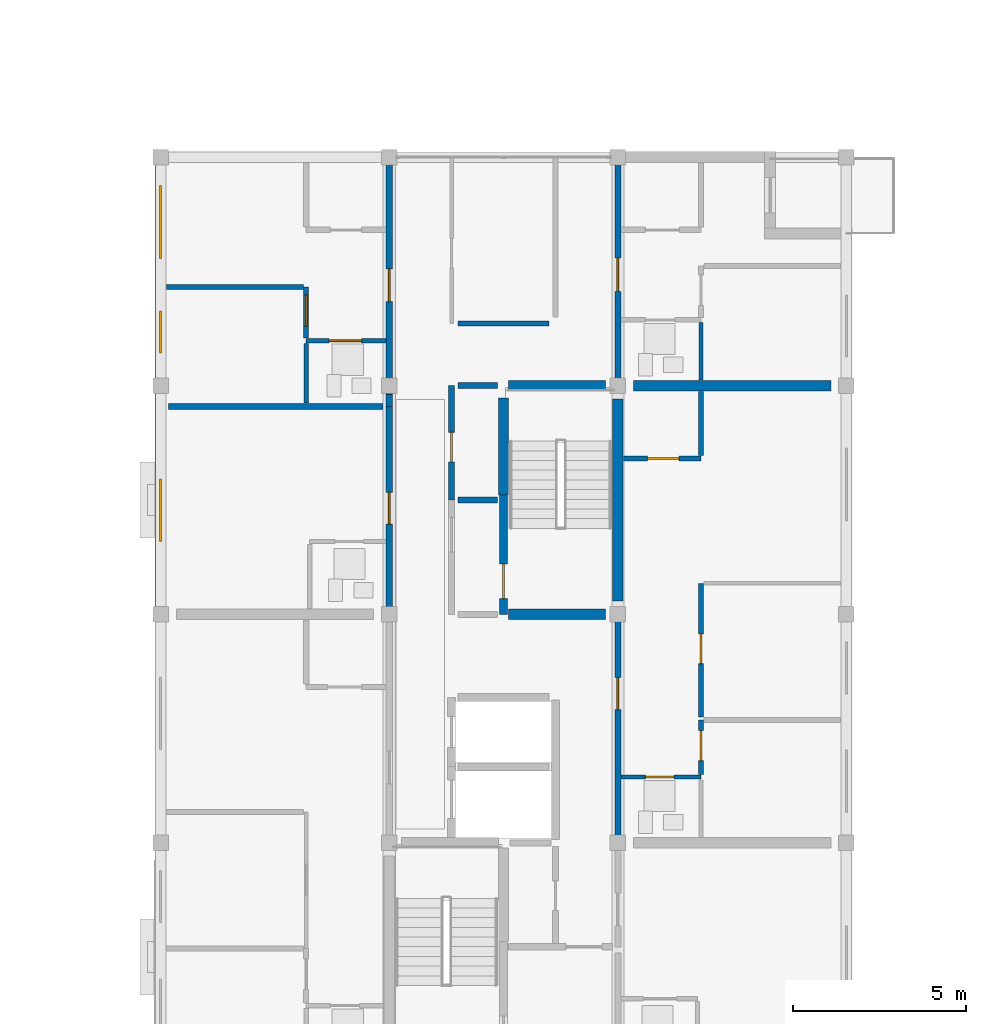
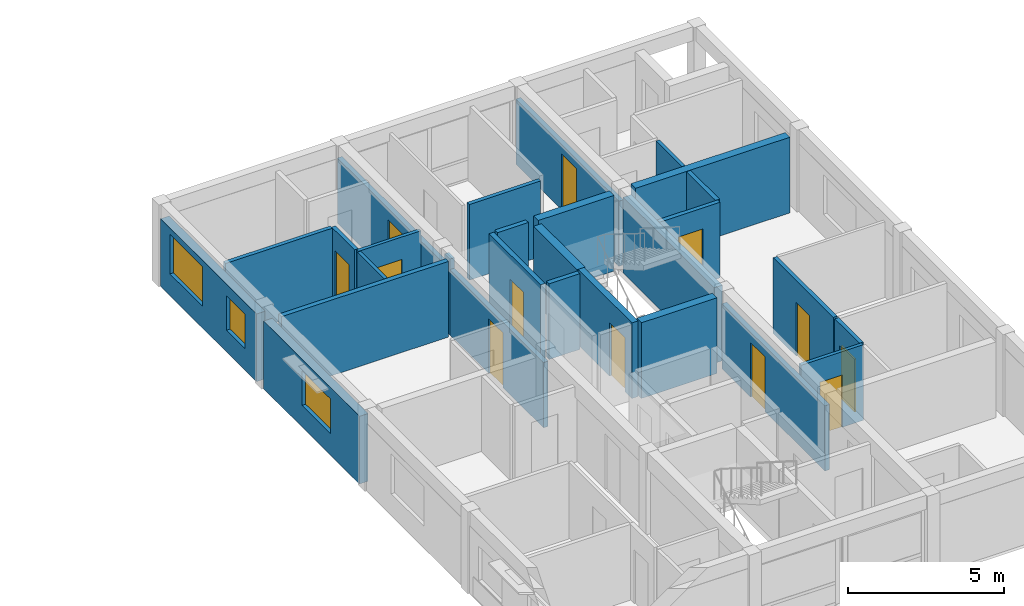
# One storey, part 32 of 53: 28 walls, 12 doors, 3 windows, 15 openings.
"""IFC4 building model written with IfcOpenShell, lengths in metres."""

import ifcopenshell
import ifcopenshell.guid

model = None  # the IFC model being written
_history = None  # IfcOwnerHistory: only IFC2X3 demands one
_inside = {}  # id of a spatial element -> (the spatial element, [elements in it])
_under = {}  # id of a project, library or spatial element -> (it, [spatial elements below it])
_declared = {}  # id of a project -> (the project, [libraries it declares])
_typed = {}  # id of a type object -> (the type object, [elements of that type])
_made_of = {}  # id of a material, layer set ... -> (it, [elements and type objects made of it])


def new_model(schema):
    """Start an empty IFC model of exactly this schema.

    Asked for "IFC4X3", IfcOpenShell would pick the latest addendum, in which some entities
    have other attributes; the version numbers below select the first issue.
    IFC2X3 requires an IfcOwnerHistory on every rooted entity: one is made here for all.
    """
    global model, _history
    if schema == "IFC4X3":
        model = ifcopenshell.file(schema_version=(4, 3, 0, 0))
    else:
        model = ifcopenshell.file(schema=schema)
    _inside.clear()
    _under.clear()
    _declared.clear()
    _typed.clear()
    _made_of.clear()
    _history = None
    if model.schema == "IFC2X3":
        org = make("IfcOrganization", Name="unknown")
        user = make(
            "IfcPersonAndOrganization",
            ThePerson=make("IfcPerson", FamilyName="unknown"),
            TheOrganization=org,
        )
        app = make(
            "IfcApplication",
            ApplicationDeveloper=org,
            Version="unknown",
            ApplicationFullName="unknown",
            ApplicationIdentifier="unknown",
        )
        _history = make(
            "IfcOwnerHistory",
            OwningUser=user,
            OwningApplication=app,
            ChangeAction="ADDED",
            CreationDate=0,
        )
    return model


def make(cls, **values):
    """One entity of the class cls with the attributes given. An attribute that is None is left unset."""
    return model.create_entity(
        cls, **{name: value for name, value in values.items() if value is not None}
    )


def rooted(cls, **values):
    """An entity with a GlobalId (a new one), such as an element, a storey or a relation."""
    return make(cls, GlobalId=ifcopenshell.guid.new(), OwnerHistory=_history, **values)


def si_unit(unit_type, name, prefix=None):
    """IfcSIUnit, for example si_unit("LENGTHUNIT", "METRE", prefix="MILLI")."""
    return make("IfcSIUnit", UnitType=unit_type, Prefix=prefix, Name=name)


def assignment(units):
    """IfcUnitAssignment: the units of a project."""
    return None if units is None else make("IfcUnitAssignment", Units=units)


def point(xyz):
    """IfcCartesianPoint."""
    return None if xyz is None else make("IfcCartesianPoint", Coordinates=xyz)


def direction(xyz):
    """IfcDirection."""
    return None if xyz is None else make("IfcDirection", DirectionRatios=xyz)


def frame(location, z_axis=None, x_axis=None):
    """IfcAxis2Placement3D, a coordinate frame: its origin and axes. An axis left out is left unset."""
    return make(
        "IfcAxis2Placement3D",
        Location=point(location),
        Axis=direction(z_axis),
        RefDirection=direction(x_axis),
    )


def frame_2d(location, x_axis=None):
    """IfcAxis2Placement2D, a coordinate frame in the plane: its origin and x axis."""
    return make(
        "IfcAxis2Placement2D", Location=point(location), RefDirection=direction(x_axis)
    )


def origin():
    """The frame at (0, 0, 0) with its axes left unset."""
    return frame((0.0, 0.0, 0.0))


def place(relative_to, where):
    """IfcLocalPlacement: puts the frame where relative to a parent placement (None: the world)."""
    return make(
        "IfcLocalPlacement", PlacementRelTo=relative_to, RelativePlacement=where
    )


def context(
    kind, dimensions, precision=None, world=None, true_north=None, identifier=None
):
    """IfcGeometricRepresentationContext, for example the 3D "Model" context."""
    return make(
        "IfcGeometricRepresentationContext",
        ContextIdentifier=identifier,
        ContextType=kind,
        CoordinateSpaceDimension=dimensions,
        Precision=precision,
        WorldCoordinateSystem=world,
        TrueNorth=true_north,
    )


def subcontext(parent, identifier, kind, view, scale=None):
    """IfcGeometricRepresentationSubContext, for example "Body" below "Model"."""
    return make(
        "IfcGeometricRepresentationSubContext",
        ContextIdentifier=identifier,
        ContextType=kind,
        ParentContext=parent,
        TargetScale=scale,
        TargetView=view,
    )


def project(units=None, contexts=None):
    """IfcProject with its units and contexts."""
    return rooted(
        "IfcProject",
        Name="project",
        RepresentationContexts=contexts,
        UnitsInContext=assignment(units),
    )


def spatial(cls, under=None, at=None, **own):
    """A site, building, storey or space (cls), placed at a placement, below another one or the project."""
    s = rooted(cls, ObjectPlacement=at, **own)
    if under is not None:
        _under.setdefault(under.id(), (under, []))[1].append(s)
    return s


def profile(cls, at=None, kind="AREA", **sizes):
    """A parametric profile (cls). Its sizes go by their IFC names, for example OverallWidth=200.0."""
    return make(cls, ProfileType=kind, Position=at, **sizes)


def rectangle(**sizes):
    """IfcRectangleProfileDef."""
    return profile("IfcRectangleProfileDef", **sizes)


def extrude(swept, where, along, depth):
    """IfcExtrudedAreaSolid: the profile swept, set in the frame where, extruded along a direction by depth."""
    return make(
        "IfcExtrudedAreaSolid",
        SweptArea=swept,
        Position=where,
        ExtrudedDirection=direction(along),
        Depth=depth,
    )


def shape(context_of_items, identifier, shape_type, items):
    """IfcShapeRepresentation: the items that make up one representation, for example the "Body"."""
    return make(
        "IfcShapeRepresentation",
        ContextOfItems=context_of_items,
        RepresentationIdentifier=identifier,
        RepresentationType=shape_type,
        Items=items,
    )


def material(Name=None, Category=None):
    """IfcMaterial."""
    return make("IfcMaterial", Name=Name, Category=Category)


def layer(
    of_material, thickness, ventilated=None, Name=None, Category=None, Priority=None
):
    """IfcMaterialLayer: one layer of a wall or slab, of a material (None: an air gap)."""
    return make(
        "IfcMaterialLayer",
        Material=of_material,
        LayerThickness=thickness,
        IsVentilated=ventilated,
        Name=Name,
        Category=Category,
        Priority=Priority,
    )


def layer_set(layers, Name=None):
    """IfcMaterialLayerSet."""
    return make("IfcMaterialLayerSet", MaterialLayers=layers, LayerSetName=Name)


def made_of(thing, what):
    """Note that an element or type object is made of a material, layer set ...; save() writes the relation."""
    if what is not None:
        _made_of.setdefault(what.id(), (what, []))[1].append(thing)
    return thing


def type_object(cls, material=None, **own):
    """A type object (cls), such as IfcWallType, which elements share."""
    return made_of(rooted(cls, **own), material)


def element(
    cls,
    number,
    at=None,
    inside=None,
    cuts=None,
    type_object=None,
    material=None,
    context=None,
    identifier="Body",
    shape_type=None,
    held_by="IfcProductDefinitionShape",
    body=None,
    shapes=None,
    **own,
):
    """One element of the class cls, such as IfcWall. Its Tag is "e" and its number.

    at: its placement. inside: the storey or other place that contains it. cuts: it is an
    opening in that element (IfcRelVoidsElement). A single representation is given by context,
    identifier, shape_type and body (its items); several are given by shapes. held_by: the class
    of the entity that holds the representations. save() writes the other relations.
    """
    e = rooted(cls, Tag="e%d" % number, ObjectPlacement=at, **own)
    if body is not None:
        shapes = [shape(context, identifier, shape_type, body)]
    if shapes is not None:
        e.Representation = make(held_by, Representations=shapes)
    if inside is not None:
        _inside.setdefault(inside.id(), (inside, []))[1].append(e)
    if cuts is not None:
        rooted(
            "IfcRelVoidsElement", RelatingBuildingElement=cuts, RelatedOpeningElement=e
        )
    if type_object is not None:
        _typed.setdefault(type_object.id(), (type_object, []))[1].append(e)
    return made_of(e, material)


def fill(opening, filler):
    """IfcRelFillsElement: the door or window that sits in an opening."""
    return rooted(
        "IfcRelFillsElement",
        RelatingOpeningElement=opening,
        RelatedBuildingElement=filler,
    )


def aggregate(whole, parts):
    """IfcRelAggregates: a whole, such as a stair, and the parts it consists of."""
    return rooted("IfcRelAggregates", RelatingObject=whole, RelatedObjects=parts)


def save(model, path):
    """Write the relations noted so far, then the file.

    IfcRelAggregates (storeys below a building ...), IfcRelContainedInSpatialStructure (elements
    in a storey), IfcRelDefinesByType, IfcRelAssociatesMaterial and IfcRelDeclares: one each for
    every whole, place, type object, material and project.
    """
    for whole, parts in _under.values():
        aggregate(whole, parts)
    for where, things in _inside.values():
        rooted(
            "IfcRelContainedInSpatialStructure",
            RelatedElements=things,
            RelatingStructure=where,
        )
    for kind, things in _typed.values():
        rooted("IfcRelDefinesByType", RelatedObjects=things, RelatingType=kind)
    for what, things in _made_of.values():
        rooted("IfcRelAssociatesMaterial", RelatedObjects=things, RelatingMaterial=what)
    for by, libraries in _declared.values():
        rooted("IfcRelDeclares", RelatingContext=by, RelatedDefinitions=libraries)
    model.write(path)


model = new_model("IFC4")

# Units and contexts
model_context = context("Model", 3, precision=1e-05, world=origin(), true_north=direction((0.0, 1.0)))
body_context = subcontext(model_context, "Body", "Model", "MODEL_VIEW")
ifc_project = project(units=[si_unit("LENGTHUNIT", "METRE"), si_unit("AREAUNIT", "SQUARE_METRE"), si_unit("VOLUMEUNIT", "CUBIC_METRE"), si_unit("PLANEANGLEUNIT", "RADIAN"), si_unit("MASSUNIT", "GRAM", prefix="KILO")], contexts=[model_context])

# Site, building, storey
site_placement = place(None, origin())
site = spatial("IfcSite", under=ifc_project, at=site_placement, CompositionType="ELEMENT")
building_placement = place(site_placement, origin())
building = spatial("IfcBuilding", under=site, at=building_placement, Name="Kernevlak Ridge Housing Community", CompositionType="ELEMENT")
storey_placement = place(building_placement, frame((0.0, 0.0, 18.0)))
storey = spatial("IfcBuildingStorey", under=building, at=storey_placement, Name="L05", CompositionType="ELEMENT", Elevation=18.0)

# Wall, opening, window
ifc_material_1 = material(Name="Concrete block masonry M10", Category="masonry")
ifc_layer_1 = layer(ifc_material_1, 0.320068359375, Name="Concrete block masonry M10")
ifc_layer_set_1 = layer_set([ifc_layer_1], Name="Concrete block masonry M10")
wall_type_1 = type_object("IfcWallType", Name="EW-02", PredefinedType="STANDARD", material=ifc_layer_set_1)
wall_1_placement = place(storey_placement, frame((126.0, 29.02490234375, 0.0), z_axis=(0.0, 0.0, 1.0), x_axis=(0.0, 1.0, 0.0)))
wall_1 = element("IfcWall", 1, at=wall_1_placement, inside=storey, type_object=wall_type_1, Name="Exterior wall EW-02 L05 602", PredefinedType="STANDARD", context=body_context, shape_type="SweptSolid", body=[
    extrude(rectangle(XDim=6.150146484375, YDim=0.320068359375, at=frame_2d((3.0751953125, 0.0))), origin(), (0.0, 0.0, 1.0), 2.64990234375),
])
opening_1_placement = place(wall_1_placement, frame((1.875, 0.0, 0.85009765625)))
opening_1 = element("IfcOpeningElement", 2, at=opening_1_placement, cuts=wall_1, Name="Opening WT-03", PredefinedType="OPENING", context=body_context, shape_type="SweptSolid", body=[
    extrude(rectangle(XDim=1.800048828125, YDim=1.35009765625, at=frame_2d((0.89990234375, 0.675048828125))), frame((0.0, 0.169921875, 0.0), z_axis=(0.0, -1.0, 0.0), x_axis=(1.0, 0.0, 0.0)), (0.0, 0.0, 1.0), 0.340087890625),
])
ifc_material_2 = material(Name="Aluminium EN AW-6060 anodised and laminated glass", Category="aluminium")
window_type_1 = type_object("IfcWindowType", Name="WT-03", PartitioningType="SINGLE_PANEL", PredefinedType="WINDOW", material=ifc_material_2)
window_1_placement = place(opening_1_placement, origin())
window_1 = element("IfcWindow", 3, at=window_1_placement, inside=storey, type_object=window_type_1, Name="Window WT-03 L05 490", OverallHeight=1.35009765625, OverallWidth=1.800048828125, PartitioningType="SINGLE_PANEL", PredefinedType="WINDOW", context=body_context, shape_type="SweptSolid", body=[
    extrude(rectangle(XDim=1.800048828125, YDim=1.35009765625, at=frame_2d((0.89990234375, 0.675048828125))), frame((0.0, 0.030029296875, 0.0), z_axis=(0.0, -1.0, 0.0), x_axis=(1.0, 0.0, 0.0)), (0.0, 0.0, 1.0), 0.06005859375),
])
fill(opening_1, window_1)

# Wall, openings, windows
wall_2_placement = place(storey_placement, frame((126.0, 35.625, 0.0), z_axis=(0.0, 0.0, 1.0), x_axis=(0.0, 1.0, 0.0)))
wall_2 = element("IfcWall", 4, at=wall_2_placement, inside=storey, type_object=wall_type_1, Name="Exterior wall EW-02 L05 603", PredefinedType="STANDARD", context=body_context, shape_type="SweptSolid", body=[
    extrude(rectangle(XDim=6.14990234375, YDim=0.320068359375, at=frame_2d((3.074951171875, 0.0))), origin(), (0.0, 0.0, 1.0), 2.64990234375),
])
opening_2_placement = place(wall_2_placement, frame((0.72509765625, 0.0, 0.85009765625)))
opening_2 = element("IfcOpeningElement", 5, at=opening_2_placement, cuts=wall_2, Name="Opening WT-01", PredefinedType="OPENING", context=body_context, shape_type="SweptSolid", body=[
    extrude(rectangle(XDim=1.199951171875, YDim=1.35009765625, at=frame_2d((0.60009765625, 0.675048828125))), frame((0.0, 0.169921875, 0.0), z_axis=(0.0, -1.0, 0.0), x_axis=(1.0, 0.0, 0.0)), (0.0, 0.0, 1.0), 0.340087890625),
])
opening_3_placement = place(wall_2_placement, frame((3.449951171875, 0.0, 0.85009765625)))
opening_3 = element("IfcOpeningElement", 6, at=opening_3_placement, cuts=wall_2, Name="Opening WT-05", PredefinedType="OPENING", context=body_context, shape_type="SweptSolid", body=[
    extrude(rectangle(XDim=2.10009765625, YDim=1.550048828125, at=frame_2d((1.050048828125, 0.77490234375))), frame((0.0, 0.169921875, 0.0), z_axis=(0.0, -1.0, 0.0), x_axis=(1.0, 0.0, 0.0)), (0.0, 0.0, 1.0), 0.340087890625),
])
window_type_2 = type_object("IfcWindowType", Name="WT-01", PartitioningType="SINGLE_PANEL", PredefinedType="WINDOW", material=ifc_material_2)
window_2_placement = place(opening_2_placement, origin())
window_2 = element("IfcWindow", 7, at=window_2_placement, inside=storey, type_object=window_type_2, Name="Window WT-01 L05 491", OverallHeight=1.35009765625, OverallWidth=1.199951171875, PartitioningType="SINGLE_PANEL", PredefinedType="WINDOW", context=body_context, shape_type="SweptSolid", body=[
    extrude(rectangle(XDim=1.199951171875, YDim=1.35009765625, at=frame_2d((0.60009765625, 0.675048828125))), frame((0.0, 0.030029296875, 0.0), z_axis=(0.0, -1.0, 0.0), x_axis=(1.0, 0.0, 0.0)), (0.0, 0.0, 1.0), 0.06005859375),
])
fill(opening_2, window_2)
window_type_3 = type_object("IfcWindowType", Name="WT-05", PartitioningType="SINGLE_PANEL", PredefinedType="WINDOW", material=ifc_material_2)
window_3_placement = place(opening_3_placement, origin())
window_3 = element("IfcWindow", 8, at=window_3_placement, inside=storey, type_object=window_type_3, Name="Window WT-05 L05 492", OverallHeight=1.550048828125, OverallWidth=2.10009765625, PartitioningType="SINGLE_PANEL", PredefinedType="WINDOW", context=body_context, shape_type="SweptSolid", body=[
    extrude(rectangle(XDim=2.10009765625, YDim=1.550048828125, at=frame_2d((1.050048828125, 0.77490234375))), frame((0.0, 0.030029296875, 0.0), z_axis=(0.0, -1.0, 0.0), x_axis=(1.0, 0.0, 0.0)), (0.0, 0.0, 1.0), 0.06005859375),
])
fill(opening_3, window_3)

# Wall, opening, door
ifc_material_3 = material(Name="Concrete C35/45", Category="concrete")
ifc_layer_2 = layer(ifc_material_3, 0.22509765625, Name="Concrete C35/45")
ifc_layer_set_2 = layer_set([ifc_layer_2], Name="Concrete C35/45")
wall_type_2 = type_object("IfcWallType", Name="PW-01", PredefinedType="STANDARD", material=ifc_layer_set_2)
wall_3_placement = place(storey_placement, frame((135.89990234375, 28.800048828125, 0.0), z_axis=(0.0, 0.0, 1.0), x_axis=(0.0, 1.0, 0.0)))
wall_3 = element("IfcWall", 9, at=wall_3_placement, inside=storey, type_object=wall_type_2, Name="Interior wall PW-01 WAL-INT-L05-2440", PredefinedType="STANDARD", context=body_context, shape_type="SweptSolid", body=[
    extrude(rectangle(XDim=3.449951171875, YDim=0.22509765625, at=frame_2d((1.72509765625, 0.0))), origin(), (0.0, 0.0, 1.0), 2.9599609375),
])
opening_4_placement = place(wall_3_placement, frame((0.449951171875, 0.0, 0.0)))
opening_4 = element("IfcOpeningElement", 10, at=opening_4_placement, cuts=wall_3, Name="Opening E236", PredefinedType="OPENING", context=body_context, shape_type="SweptSolid", body=[
    extrude(rectangle(XDim=1.0, YDim=2.10009765625, at=frame_2d((0.5, 1.050048828125))), frame((0.0, 0.12255859375, 0.0), z_axis=(0.0, -1.0, 0.0), x_axis=(1.0, 0.0, 0.0)), (0.0, 0.0, 1.0), 0.2451171875),
])
ifc_material_4 = material(Name="Fire-rated sheet steel leaf", Category="steel")
door_type_1 = type_object("IfcDoorType", Name="DT-05", OperationType="NOTDEFINED", PredefinedType="DOOR", material=ifc_material_4)
door_1_placement = place(opening_4_placement, origin())
door_1 = element("IfcDoor", 11, at=door_1_placement, inside=storey, type_object=door_type_1, Name="Block C Stair 2 fire door E236", OperationType="SINGLE_SWING_LEFT", OverallHeight=2.10009765625, OverallWidth=1.0, PredefinedType="DOOR", context=body_context, shape_type="SweptSolid", body=[
    extrude(rectangle(XDim=1.0, YDim=2.10009765625, at=frame_2d((0.5, 1.050048828125))), frame((0.0, 0.02490234375, 0.0), z_axis=(0.0, -1.0, 0.0), x_axis=(1.0, 0.0, 0.0)), (0.0, 0.0, 1.0), 0.050048828125),
])
fill(opening_4, door_1)

ifc_layer_3 = layer(ifc_material_1, 0.175048828125, Name="Concrete block masonry M10")
ifc_layer_set_3 = layer_set([ifc_layer_3], Name="Concrete block masonry M10")
wall_type_3 = type_object("IfcWallType", Name="PW-02", PredefinedType="PARTITIONING", material=ifc_layer_set_3)
wall_4_placement = place(storey_placement, frame((134.39990234375, 32.10009765625, 0.0), z_axis=(0.0, 0.0, 1.0), x_axis=(0.0, 1.0, 0.0)))
wall_4 = element("IfcWall", 12, at=wall_4_placement, inside=storey, type_object=wall_type_3, Name="Interior wall PW-02 WAL-INT-L05-2442", PredefinedType="PARTITIONING", context=body_context, shape_type="SweptSolid", body=[
    extrude(rectangle(XDim=3.2998046875, YDim=0.175048828125, at=frame_2d((1.64990234375, 0.0))), origin(), (0.0, 0.0, 1.0), 2.9599609375),
])
opening_5_placement = place(wall_4_placement, frame((1.10009765625, 0.0, 0.0)))
opening_5 = element("IfcOpeningElement", 13, at=opening_5_placement, cuts=wall_4, Name="Opening E238", PredefinedType="OPENING", context=body_context, shape_type="SweptSolid", body=[
    extrude(rectangle(XDim=0.85009765625, YDim=2.0, at=frame_2d((0.425048828125, 1.0))), frame((0.0, 0.097412109375, 0.0), z_axis=(0.0, -1.0, 0.0), x_axis=(1.0, 0.0, 0.0)), (0.0, 0.0, 1.0), 0.195068359375),
])
door_type_2 = type_object("IfcDoorType", Name="DT-07", OperationType="NOTDEFINED", PredefinedType="DOOR", material=ifc_material_4)
door_2_placement = place(opening_5_placement, origin())
door_2 = element("IfcDoor", 14, at=door_2_placement, inside=storey, type_object=door_type_2, Name="Block C Cleaner store door E238", OperationType="SINGLE_SWING_LEFT", OverallHeight=2.0, OverallWidth=0.85009765625, PredefinedType="DOOR", context=body_context, shape_type="SweptSolid", body=[
    extrude(rectangle(XDim=0.85009765625, YDim=2.0, at=frame_2d((0.425048828125, 1.0))), frame((0.0, 0.02490234375, 0.0), z_axis=(0.0, -1.0, 0.0), x_axis=(1.0, 0.0, 0.0)), (0.0, 0.0, 1.0), 0.050048828125),
])
fill(opening_5, door_2)

# Walls
for number, where, z_axis, x_axis, name in (
    (15, (134.580078125, 32.10009765625, 0.0), (0.0, 0.0, 1.0), (1.0, 0.0, 0.0), "Interior wall PW-02 WAL-INT-L05-2444"),
    (16, (134.580078125, 35.39990234375, 0.0), (0.0, 0.0, 1.0), (1.0, 0.0, 0.0), "Interior wall PW-02 WAL-INT-L05-2445"),
):
    element("IfcWall", number, at=place(storey_placement, frame(where, z_axis=z_axis, x_axis=x_axis)), inside=storey, type_object=wall_type_3, Name=name, PredefinedType="PARTITIONING", context=body_context, shape_type="SweptSolid", body=[
        extrude(rectangle(XDim=1.139892578125, YDim=0.175048828125, at=frame_2d((0.56982421875, 0.0))), origin(), (0.0, 0.0, 1.0), 2.9599609375),
    ])

# Wall, opening, door
wall_5_placement = place(storey_placement, frame((132.60009765625, 28.800048828125, 0.0), z_axis=(0.0, 0.0, 1.0), x_axis=(0.0, 1.0, 0.0)))
wall_5 = element("IfcWall", 17, at=wall_5_placement, inside=storey, type_object=wall_type_3, Name="Interior wall PW-02 WAL-INT-L05-2458", PredefinedType="PARTITIONING", context=body_context, shape_type="SweptSolid", body=[
    extrude(rectangle(XDim=6.0, YDim=0.175048828125, at=frame_2d((3.0, 0.0))), origin(), (0.0, 0.0, 1.0), 2.550048828125),
])
opening_6_placement = place(wall_5_placement, frame((2.60009765625, 0.0, 0.0)))
opening_6 = element("IfcOpeningElement", 18, at=opening_6_placement, cuts=wall_5, Name="Opening E245", PredefinedType="OPENING", context=body_context, shape_type="SweptSolid", body=[
    extrude(rectangle(XDim=0.919921875, YDim=2.139892578125, at=frame_2d((0.4599609375, 1.06982421875))), frame((0.0, 0.097412109375, 0.0), z_axis=(0.0, -1.0, 0.0), x_axis=(1.0, 0.0, 0.0)), (0.0, 0.0, 1.0), 0.195068359375),
])
ifc_material_5 = material(Name="Hardwood timber solid-core fire leaf", Category="wood")
door_type_3 = type_object("IfcDoorType", Name="DT-20", OperationType="NOTDEFINED", PredefinedType="DOOR", material=ifc_material_5)
door_3_placement = place(opening_6_placement, origin())
door_3 = element("IfcDoor", 19, at=door_3_placement, inside=storey, type_object=door_type_3, Name="Flat C0512 entrance fire door E245", OperationType="SINGLE_SWING_RIGHT", OverallHeight=2.139892578125, OverallWidth=0.919921875, PredefinedType="DOOR", context=body_context, shape_type="SweptSolid", body=[
    extrude(rectangle(XDim=0.919921875, YDim=2.139892578125, at=frame_2d((0.4599609375, 1.06982421875))), frame((0.0, 0.02490234375, 0.0), z_axis=(0.0, -1.0, 0.0), x_axis=(1.0, 0.0, 0.0)), (0.0, 0.0, 1.0), 0.050048828125),
])
fill(opening_6, door_3)

# Walls
wall_6_placement = place(storey_placement, frame((132.419921875, 34.800048828125, 0.0), z_axis=(0.0, 0.0, 1.0), x_axis=(-1.0, 0.0, 0.0)))
element("IfcWall", 20, at=wall_6_placement, inside=storey, type_object=wall_type_3, Name="Interior wall PW-02 WAL-INT-L05-2461", PredefinedType="PARTITIONING", context=body_context, shape_type="SweptSolid", body=[
    extrude(rectangle(XDim=6.18994140625, YDim=0.175048828125, at=frame_2d((3.094970703125, 0.0))), origin(), (0.0, 0.0, 1.0), 2.9599609375),
])
wall_7_placement = place(storey_placement, frame((132.60009765625, 34.800048828125, 0.0), z_axis=(0.0, 0.0, 1.0), x_axis=(0.0, 1.0, 0.0)))
element("IfcWall", 21, at=wall_7_placement, inside=storey, type_object=wall_type_3, Name="Interior wall PW-02 WAL-INT-L05-2462", PredefinedType="PARTITIONING", context=body_context, shape_type="SweptSolid", body=[
    extrude(rectangle(XDim=0.344970703125, YDim=0.175048828125, at=frame_2d((0.17236328125, 0.0))), origin(), (0.0, 0.0, 1.0), 2.9599609375),
])

# Wall, opening, door
wall_8_placement = place(storey_placement, frame((132.60009765625, 35.14501953125, 0.0), z_axis=(0.0, 0.0, 1.0), x_axis=(0.0, 1.0, 0.0)))
wall_8 = element("IfcWall", 22, at=wall_8_placement, inside=storey, type_object=wall_type_3, Name="Interior wall PW-02 WAL-INT-L05-2462 part 2", PredefinedType="PARTITIONING", context=body_context, shape_type="SweptSolid", body=[
    extrude(rectangle(XDim=6.85498046875, YDim=0.175048828125, at=frame_2d((3.427490234375, 0.0))), origin(), (0.0, 0.0, 1.0), 2.550048828125),
])
opening_7_placement = place(wall_8_placement, frame((2.679931640625, 0.0, 0.0)))
opening_7 = element("IfcOpeningElement", 23, at=opening_7_placement, cuts=wall_8, Name="Opening E247", PredefinedType="OPENING", context=body_context, shape_type="SweptSolid", body=[
    extrude(rectangle(XDim=0.949951171875, YDim=2.10009765625, at=frame_2d((0.47509765625, 1.050048828125))), frame((0.0, 0.097412109375, 0.0), z_axis=(0.0, -1.0, 0.0), x_axis=(1.0, 0.0, 0.0)), (0.0, 0.0, 1.0), 0.195068359375),
])
door_type_4 = type_object("IfcDoorType", Name="DT-01", OperationType="NOTDEFINED", PredefinedType="DOOR", material=ifc_material_5)
door_4_placement = place(opening_7_placement, origin())
door_4 = element("IfcDoor", 24, at=door_4_placement, inside=storey, type_object=door_type_4, Name="Flat C0513 entrance fire door E247", OperationType="SINGLE_SWING_RIGHT", OverallHeight=2.10009765625, OverallWidth=0.949951171875, PredefinedType="DOOR", context=body_context, shape_type="SweptSolid", body=[
    extrude(rectangle(XDim=0.949951171875, YDim=2.10009765625, at=frame_2d((0.47509765625, 1.050048828125))), frame((0.0, 0.02490234375, 0.0), z_axis=(0.0, -1.0, 0.0), x_axis=(1.0, 0.0, 0.0)), (0.0, 0.0, 1.0), 0.050048828125),
])
fill(opening_7, door_4)

wall_9_placement = place(storey_placement, frame((139.199951171875, 22.199951171875, 0.0), z_axis=(0.0, 0.0, 1.0), x_axis=(0.0, 1.0, 0.0)))
wall_9 = element("IfcWall", 25, at=wall_9_placement, inside=storey, type_object=wall_type_3, Name="Interior wall PW-02 WAL-INT-L05-2473", PredefinedType="PARTITIONING", context=body_context, shape_type="SweptSolid", body=[
    extrude(rectangle(XDim=6.60009765625, YDim=0.175048828125, at=frame_2d((3.300048828125, 0.0))), origin(), (0.0, 0.0, 1.0), 2.550048828125),
])
opening_8_placement = place(wall_9_placement, frame((3.85009765625, 0.0, 0.0)))
opening_8 = element("IfcOpeningElement", 26, at=opening_8_placement, cuts=wall_9, Name="Opening E253", PredefinedType="OPENING", context=body_context, shape_type="SweptSolid", body=[
    extrude(rectangle(XDim=0.919921875, YDim=2.139892578125, at=frame_2d((0.4599609375, 1.06982421875))), frame((0.0, 0.097412109375, 0.0), z_axis=(0.0, -1.0, 0.0), x_axis=(1.0, 0.0, 0.0)), (0.0, 0.0, 1.0), 0.195068359375),
])
door_5_placement = place(opening_8_placement, origin())
door_5 = element("IfcDoor", 27, at=door_5_placement, inside=storey, type_object=door_type_3, Name="Flat C0522 entrance fire door E253", OperationType="SINGLE_SWING_RIGHT", OverallHeight=2.139892578125, OverallWidth=0.919921875, PredefinedType="DOOR", context=body_context, shape_type="SweptSolid", body=[
    extrude(rectangle(XDim=0.919921875, YDim=2.139892578125, at=frame_2d((0.4599609375, 1.06982421875))), frame((0.0, 0.02490234375, 0.0), z_axis=(0.0, -1.0, 0.0), x_axis=(1.0, 0.0, 0.0)), (0.0, 0.0, 1.0), 0.050048828125),
])
fill(opening_8, door_5)

wall_10_placement = place(storey_placement, frame((139.199951171875, 35.39990234375, 0.0), z_axis=(0.0, 0.0, 1.0), x_axis=(0.0, 1.0, 0.0)))
wall_10 = element("IfcWall", 28, at=wall_10_placement, inside=storey, type_object=wall_type_3, Name="Interior wall PW-02 WAL-INT-L05-2482", PredefinedType="PARTITIONING", context=body_context, shape_type="SweptSolid", body=[
    extrude(rectangle(XDim=6.60009765625, YDim=0.175048828125, at=frame_2d((3.300048828125, 0.0))), origin(), (0.0, 0.0, 1.0), 2.550048828125),
])
opening_9_placement = place(wall_10_placement, frame((2.72509765625, 0.0, 0.0)))
opening_9 = element("IfcOpeningElement", 29, at=opening_9_placement, cuts=wall_10, Name="Opening E258", PredefinedType="OPENING", context=body_context, shape_type="SweptSolid", body=[
    extrude(rectangle(XDim=0.9599609375, YDim=2.179931640625, at=frame_2d((0.47998046875, 1.08984375))), frame((0.0, 0.097412109375, 0.0), z_axis=(0.0, -1.0, 0.0), x_axis=(1.0, 0.0, 0.0)), (0.0, 0.0, 1.0), 0.195068359375),
])
door_type_5 = type_object("IfcDoorType", Name="DT-29", OperationType="NOTDEFINED", PredefinedType="DOOR", material=ifc_material_5)
door_6_placement = place(opening_9_placement, origin())
door_6 = element("IfcDoor", 30, at=door_6_placement, inside=storey, type_object=door_type_5, Name="Flat C0523 entrance fire door E258", OperationType="SINGLE_SWING_LEFT", OverallHeight=2.179931640625, OverallWidth=0.9599609375, PredefinedType="DOOR", context=body_context, shape_type="SweptSolid", body=[
    extrude(rectangle(XDim=0.9599609375, YDim=2.179931640625, at=frame_2d((0.47998046875, 1.08984375))), frame((0.0, 0.02490234375, 0.0), z_axis=(0.0, -1.0, 0.0), x_axis=(1.0, 0.0, 0.0)), (0.0, 0.0, 1.0), 0.050048828125),
])
fill(opening_9, door_6)

# Wall
ifc_layer_4 = layer(ifc_material_1, 0.14501953125, Name="Concrete block masonry M10")
ifc_layer_set_4 = layer_set([ifc_layer_4], Name="Concrete block masonry M10")
wall_type_4 = type_object("IfcWallType", Name="PW-03", PredefinedType="PARTITIONING", material=ifc_layer_set_4)
wall_11_placement = place(storey_placement, frame((134.580078125, 37.199951171875, 0.0), z_axis=(0.0, 0.0, 1.0), x_axis=(1.0, 0.0, 0.0)))
element("IfcWall", 31, at=wall_11_placement, inside=storey, type_object=wall_type_4, Name="Interior wall PW-03 WAL-INT-L05-2448", PredefinedType="PARTITIONING", context=body_context, shape_type="SweptSolid", body=[
    extrude(rectangle(XDim=2.639892578125, YDim=0.14501953125, at=frame_2d((1.31982421875, 0.0))), origin(), (0.0, 0.0, 1.0), 2.9599609375),
])

# Wall, opening, door
wall_12_placement = place(storey_placement, frame((130.199951171875, 36.7724609375, 0.0), z_axis=(0.0, 0.0, 1.0), x_axis=(0.0, 1.0, 0.0)))
wall_12 = element("IfcWall", 32, at=wall_12_placement, inside=storey, type_object=wall_type_4, Name="Interior wall PW-03 WAL-INT-L05-2467", PredefinedType="PARTITIONING", context=body_context, shape_type="SweptSolid", body=[
    extrude(rectangle(XDim=1.4775390625, YDim=0.14501953125, at=frame_2d((0.73876953125, 0.0))), origin(), (0.0, 0.0, 1.0), 2.9599609375),
])
opening_10_placement = place(wall_12_placement, frame((0.35009765625, 0.0, 0.0)))
opening_10 = element("IfcOpeningElement", 33, at=opening_10_placement, cuts=wall_12, Name="Opening E250", PredefinedType="OPENING", context=body_context, shape_type="SweptSolid", body=[
    extrude(rectangle(XDim=0.89990234375, YDim=2.159912109375, at=frame_2d((0.449951171875, 1.080078125))), frame((0.0, 0.08251953125, 0.0), z_axis=(0.0, -1.0, 0.0), x_axis=(1.0, 0.0, 0.0)), (0.0, 0.0, 1.0), 0.1650390625),
])
ifc_material_6 = material(Name="Hardwood timber leaf", Category="wood")
door_type_6 = type_object("IfcDoorType", Name="DT-22", OperationType="NOTDEFINED", PredefinedType="DOOR", material=ifc_material_6)
door_7_placement = place(opening_10_placement, origin())
door_7 = element("IfcDoor", 34, at=door_7_placement, inside=storey, type_object=door_type_6, Name="Flat C0513 bedroom door E250", OperationType="SINGLE_SWING_LEFT", OverallHeight=2.159912109375, OverallWidth=0.89990234375, PredefinedType="DOOR", context=body_context, shape_type="SweptSolid", body=[
    extrude(rectangle(XDim=0.89990234375, YDim=2.159912109375, at=frame_2d((0.449951171875, 1.080078125))), frame((0.0, 0.02490234375, 0.0), z_axis=(0.0, -1.0, 0.0), x_axis=(1.0, 0.0, 0.0)), (0.0, 0.0, 1.0), 0.050048828125),
])
fill(opening_10, door_7)

# Wall
wall_13_placement = place(storey_placement, frame((130.117431640625, 38.25, 0.0), z_axis=(0.0, 0.0, 1.0), x_axis=(-1.0, 0.0, 0.0)))
element("IfcWall", 35, at=wall_13_placement, inside=storey, type_object=wall_type_4, Name="Interior wall PW-03 WAL-INT-L05-2468", PredefinedType="PARTITIONING", context=body_context, shape_type="SweptSolid", body=[
    extrude(rectangle(XDim=3.947509765625, YDim=0.14501953125, at=frame_2d((1.9736328125, 0.0))), origin(), (0.0, 0.0, 1.0), 2.9599609375),
])

# Wall, opening, door
wall_14_placement = place(storey_placement, frame((141.60009765625, 24.172607421875, 0.0), z_axis=(0.0, 0.0, 1.0), x_axis=(0.0, 1.0, 0.0)))
wall_14 = element("IfcWall", 36, at=wall_14_placement, inside=storey, type_object=wall_type_4, Name="Interior wall PW-03 WAL-INT-L05-2478", PredefinedType="PARTITIONING", context=body_context, shape_type="SweptSolid", body=[
    extrude(rectangle(XDim=1.577392578125, YDim=0.14501953125, at=frame_2d((0.78857421875, 0.0))), origin(), (0.0, 0.0, 1.0), 2.9599609375),
])
opening_11_placement = place(wall_14_placement, frame((0.39990234375, 0.0, 0.0)))
opening_11 = element("IfcOpeningElement", 37, at=opening_11_placement, cuts=wall_14, Name="Opening E256", PredefinedType="OPENING", context=body_context, shape_type="SweptSolid", body=[
    extrude(rectangle(XDim=0.8701171875, YDim=2.080078125, at=frame_2d((0.43505859375, 1.0400390625))), frame((0.0, 0.08251953125, 0.0), z_axis=(0.0, -1.0, 0.0), x_axis=(1.0, 0.0, 0.0)), (0.0, 0.0, 1.0), 0.1650390625),
])
door_type_7 = type_object("IfcDoorType", Name="DT-32", OperationType="NOTDEFINED", PredefinedType="DOOR", material=ifc_material_6)
door_8_placement = place(opening_11_placement, origin())
door_8 = element("IfcDoor", 38, at=door_8_placement, inside=storey, type_object=door_type_7, Name="Flat C0522 bedroom door E256", OperationType="SINGLE_SWING_LEFT", OverallHeight=2.080078125, OverallWidth=0.8701171875, PredefinedType="DOOR", context=body_context, shape_type="SweptSolid", body=[
    extrude(rectangle(XDim=0.8701171875, YDim=2.080078125, at=frame_2d((0.43505859375, 1.0400390625))), frame((0.0, 0.02490234375, 0.0), z_axis=(0.0, -1.0, 0.0), x_axis=(1.0, 0.0, 0.0)), (0.0, 0.0, 1.0), 0.050048828125),
])
fill(opening_11, door_8)

wall_15_placement = place(storey_placement, frame((141.60009765625, 25.83251953125, 0.0), z_axis=(0.0, 0.0, 1.0), x_axis=(0.0, 1.0, 0.0)))
wall_15 = element("IfcWall", 39, at=wall_15_placement, inside=storey, type_object=wall_type_4, Name="Interior wall PW-03 WAL-INT-L05-2480", PredefinedType="PARTITIONING", context=body_context, shape_type="SweptSolid", body=[
    extrude(rectangle(XDim=3.859375, YDim=0.14501953125, at=frame_2d((1.9296875, 0.0))), origin(), (0.0, 0.0, 1.0), 2.9599609375),
])
opening_12_placement = place(wall_15_placement, frame((1.5458984375, 0.0, 0.0)))
opening_12 = element("IfcOpeningElement", 40, at=opening_12_placement, cuts=wall_15, Name="Opening E257", PredefinedType="OPENING", context=body_context, shape_type="SweptSolid", body=[
    extrude(rectangle(XDim=0.85009765625, YDim=2.10009765625, at=frame_2d((0.425048828125, 1.050048828125))), frame((0.0, 0.08251953125, 0.0), z_axis=(0.0, -1.0, 0.0), x_axis=(1.0, 0.0, 0.0)), (0.0, 0.0, 1.0), 0.1650390625),
])
door_type_8 = type_object("IfcDoorType", Name="DT-03", OperationType="NOTDEFINED", PredefinedType="DOOR", material=ifc_material_6)
door_9_placement = place(opening_12_placement, origin())
door_9 = element("IfcDoor", 41, at=door_9_placement, inside=storey, type_object=door_type_8, Name="Flat C0522 bedroom door E257", OperationType="SINGLE_SWING_RIGHT", OverallHeight=2.10009765625, OverallWidth=0.85009765625, PredefinedType="DOOR", context=body_context, shape_type="SweptSolid", body=[
    extrude(rectangle(XDim=0.85009765625, YDim=2.10009765625, at=frame_2d((0.425048828125, 1.050048828125))), frame((0.0, 0.02490234375, 0.0), z_axis=(0.0, -1.0, 0.0), x_axis=(1.0, 0.0, 0.0)), (0.0, 0.0, 1.0), 0.050048828125),
])
fill(opening_12, door_9)

ifc_material_7 = material(Name="Gypsum plasterboard EN 520", Category="gypsum")
ifc_layer_5 = layer(ifc_material_7, 0.125, Name="Gypsum plasterboard EN 520")
ifc_layer_set_5 = layer_set([ifc_layer_5], Name="Gypsum plasterboard EN 520")
wall_type_5 = type_object("IfcWallType", Name="PW-04", PredefinedType="PARTITIONING", material=ifc_layer_set_5)
wall_16_placement = place(storey_placement, frame((132.50244140625, 36.699951171875, 0.0), z_axis=(0.0, 0.0, 1.0), x_axis=(-1.0, 0.0, 0.0)))
wall_16 = element("IfcWall", 42, at=wall_16_placement, inside=storey, type_object=wall_type_5, Name="Interior wall PW-04 WAL-INT-L05-2463", PredefinedType="PARTITIONING", context=body_context, shape_type="SweptSolid", body=[
    extrude(rectangle(XDim=2.302490234375, YDim=0.125, at=frame_2d((1.1513671875, 0.0))), origin(), (0.0, 0.0, 1.0), 2.9599609375),
])
opening_13_placement = place(wall_16_placement, frame((0.699951171875, 0.0, 0.0)))
opening_13 = element("IfcOpeningElement", 43, at=opening_13_placement, cuts=wall_16, Name="Opening E248", PredefinedType="OPENING", context=body_context, shape_type="SweptSolid", body=[
    extrude(rectangle(XDim=0.93994140625, YDim=2.080078125, at=frame_2d((0.469970703125, 1.0400390625))), frame((0.0, 0.072509765625, 0.0), z_axis=(0.0, -1.0, 0.0), x_axis=(1.0, 0.0, 0.0)), (0.0, 0.0, 1.0), 0.14501953125),
])
ifc_material_8 = material(Name="Hardwood timber moisture-resistant leaf", Category="wood")
door_type_9 = type_object("IfcDoorType", Name="DT-23", OperationType="NOTDEFINED", PredefinedType="DOOR", material=ifc_material_8)
door_10_placement = place(opening_13_placement, origin())
door_10 = element("IfcDoor", 44, at=door_10_placement, inside=storey, type_object=door_type_9, Name="Flat C0513 bathroom door E248", OperationType="SINGLE_SWING_LEFT", OverallHeight=2.080078125, OverallWidth=0.93994140625, PredefinedType="DOOR", context=body_context, shape_type="SweptSolid", body=[
    extrude(rectangle(XDim=0.93994140625, YDim=2.080078125, at=frame_2d((0.469970703125, 1.0400390625))), frame((0.0, 0.02490234375, 0.0), z_axis=(0.0, -1.0, 0.0), x_axis=(1.0, 0.0, 0.0)), (0.0, 0.0, 1.0), 0.050048828125),
])
fill(opening_13, door_10)

# Wall
wall_17_placement = place(storey_placement, frame((130.199951171875, 34.8974609375, 0.0), z_axis=(0.0, 0.0, 1.0), x_axis=(0.0, 1.0, 0.0)))
element("IfcWall", 45, at=wall_17_placement, inside=storey, type_object=wall_type_5, Name="Interior wall PW-04 WAL-INT-L05-2464", PredefinedType="PARTITIONING", context=body_context, shape_type="SweptSolid", body=[
    extrude(rectangle(XDim=1.72265625, YDim=0.125, at=frame_2d((0.861328125, 0.0))), origin(), (0.0, 0.0, 1.0), 2.9599609375),
])

# Wall, opening, door
wall_18_placement = place(storey_placement, frame((139.297607421875, 24.10009765625, 0.0), z_axis=(0.0, 0.0, 1.0), x_axis=(1.0, 0.0, 0.0)))
wall_18 = element("IfcWall", 46, at=wall_18_placement, inside=storey, type_object=wall_type_5, Name="Interior wall PW-04 WAL-INT-L05-2474", PredefinedType="PARTITIONING", context=body_context, shape_type="SweptSolid", body=[
    extrude(rectangle(XDim=2.302490234375, YDim=0.125, at=frame_2d((1.1513671875, 0.0))), origin(), (0.0, 0.0, 1.0), 2.9599609375),
])
opening_14_placement = place(wall_18_placement, frame((0.699951171875, 0.0, 0.0)))
opening_14 = element("IfcOpeningElement", 47, at=opening_14_placement, cuts=wall_18, Name="Opening E254", PredefinedType="OPENING", context=body_context, shape_type="SweptSolid", body=[
    extrude(rectangle(XDim=0.820068359375, YDim=2.050048828125, at=frame_2d((0.41015625, 1.02490234375))), frame((0.0, 0.072509765625, 0.0), z_axis=(0.0, -1.0, 0.0), x_axis=(1.0, 0.0, 0.0)), (0.0, 0.0, 1.0), 0.14501953125),
])
door_type_10 = type_object("IfcDoorType", Name="DT-30", OperationType="NOTDEFINED", PredefinedType="DOOR", material=ifc_material_8)
door_11_placement = place(opening_14_placement, origin())
door_11 = element("IfcDoor", 48, at=door_11_placement, inside=storey, type_object=door_type_10, Name="Flat C0522 bathroom door E254", OperationType="SINGLE_SWING_LEFT", OverallHeight=2.050048828125, OverallWidth=0.820068359375, PredefinedType="DOOR", context=body_context, shape_type="SweptSolid", body=[
    extrude(rectangle(XDim=0.820068359375, YDim=2.050048828125, at=frame_2d((0.41015625, 1.02490234375))), frame((0.0, 0.02490234375, 0.0), z_axis=(0.0, -1.0, 0.0), x_axis=(1.0, 0.0, 0.0)), (0.0, 0.0, 1.0), 0.050048828125),
])
fill(opening_14, door_11)

# Wall
wall_19_placement = place(storey_placement, frame((141.60009765625, 35.56005859375, 0.0), z_axis=(0.0, 0.0, 1.0), x_axis=(0.0, 1.0, 0.0)))
element("IfcWall", 49, at=wall_19_placement, inside=storey, type_object=wall_type_5, Name="Interior wall PW-04 WAL-INT-L05-2484", PredefinedType="PARTITIONING", context=body_context, shape_type="SweptSolid", body=[
    extrude(rectangle(XDim=1.659912109375, YDim=0.125, at=frame_2d((0.830078125, 0.0))), origin(), (0.0, 0.0, 1.0), 2.9599609375),
])

# Wall, opening, door
ifc_layer_6 = layer(ifc_material_7, 0.155029296875, Name="Gypsum plasterboard EN 520")
ifc_layer_set_6 = layer_set([ifc_layer_6], Name="Gypsum plasterboard EN 520")
wall_type_6 = type_object("IfcWallType", Name="PW-05", PredefinedType="PARTITIONING", material=ifc_layer_set_6)
wall_20_placement = place(storey_placement, frame((139.360107421875, 33.300048828125, 0.0), z_axis=(0.0, 0.0, 1.0), x_axis=(1.0, 0.0, 0.0)))
wall_20 = element("IfcWall", 50, at=wall_20_placement, inside=storey, type_object=wall_type_6, Name="Interior wall PW-05 WAL-INT-L05-2476", PredefinedType="PARTITIONING", context=body_context, shape_type="SweptSolid", body=[
    extrude(rectangle(XDim=2.239990234375, YDim=0.155029296875, at=frame_2d((1.1201171875, 0.0))), origin(), (0.0, 0.0, 1.0), 2.9599609375),
])
opening_15_placement = place(wall_20_placement, frame((0.699951171875, 0.0, 0.0)))
opening_15 = element("IfcOpeningElement", 51, at=opening_15_placement, cuts=wall_20, Name="Opening E255", PredefinedType="OPENING", context=body_context, shape_type="SweptSolid", body=[
    extrude(rectangle(XDim=0.909912109375, YDim=2.139892578125, at=frame_2d((0.455078125, 1.06982421875))), frame((0.0, 0.08740234375, 0.0), z_axis=(0.0, -1.0, 0.0), x_axis=(1.0, 0.0, 0.0)), (0.0, 0.0, 1.0), 0.175048828125),
])
door_type_11 = type_object("IfcDoorType", Name="DT-31", OperationType="NOTDEFINED", PredefinedType="DOOR", material=ifc_material_6)
door_12_placement = place(opening_15_placement, origin())
door_12 = element("IfcDoor", 52, at=door_12_placement, inside=storey, type_object=door_type_11, Name="Flat C0522 kitchen door E255", OperationType="SINGLE_SWING_RIGHT", OverallHeight=2.139892578125, OverallWidth=0.909912109375, PredefinedType="DOOR", context=body_context, shape_type="SweptSolid", body=[
    extrude(rectangle(XDim=0.909912109375, YDim=2.139892578125, at=frame_2d((0.455078125, 1.06982421875))), frame((0.0, 0.02490234375, 0.0), z_axis=(0.0, -1.0, 0.0), x_axis=(1.0, 0.0, 0.0)), (0.0, 0.0, 1.0), 0.050048828125),
])
fill(opening_15, door_12)

# Walls
wall_21_placement = place(storey_placement, frame((141.60009765625, 33.387451171875, 0.0), z_axis=(0.0, 0.0, 1.0), x_axis=(0.0, 1.0, 0.0)))
element("IfcWall", 53, at=wall_21_placement, inside=storey, type_object=wall_type_6, Name="Interior wall PW-05 WAL-INT-L05-2477", PredefinedType="PARTITIONING", context=body_context, shape_type="SweptSolid", body=[
    extrude(rectangle(XDim=1.8525390625, YDim=0.155029296875, at=frame_2d((0.92626953125, 0.0))), origin(), (0.0, 0.0, 1.0), 2.9599609375),
])
ifc_material_9 = material(Name="Concrete C40/50", Category="concrete")
ifc_layer_7 = layer(ifc_material_9, 0.300048828125, Name="Concrete C40/50")
ifc_layer_set_7 = layer_set([ifc_layer_7], Name="Concrete C40/50")
wall_type_7 = type_object("IfcWallType", Name="SW-02", PredefinedType="SHEAR", material=ifc_layer_set_7)
wall_22_placement = place(storey_placement, frame((139.199951171875, 29.179931640625, 0.0), z_axis=(0.0, 0.0, 1.0), x_axis=(0.0, 1.0, 0.0)))
element("IfcWall", 54, at=wall_22_placement, inside=storey, type_object=wall_type_7, Name="Shear wall SW-02 Block C L05 424", PredefinedType="SHEAR", context=body_context, shape_type="SweptSolid", body=[
    extrude(rectangle(XDim=5.840087890625, YDim=0.300048828125, at=frame_2d((2.919921875, 0.0))), origin(), (0.0, 0.0, 1.0), 2.9599609375),
])
for number, where, z_axis, x_axis, name in (
    (55, (135.89990234375, 32.25, 0.0), (0.0, 0.0, 1.0), (0.0, 1.0, 0.0), "Shear wall SW-02 Block C L05 425"),
    (56, (136.050048828125, 28.800048828125, 0.0), (0.0, 0.0, 1.0), (1.0, 0.0, 0.0), "Shear wall SW-02 Block C L05 426"),
    (57, (136.050048828125, 35.39990234375, 0.0), (0.0, 0.0, 1.0), (1.0, 0.0, 0.0), "Shear wall SW-02 Block C L05 427"),
):
    element("IfcWall", number, at=place(storey_placement, frame(where, z_axis=z_axis, x_axis=x_axis)), inside=storey, type_object=wall_type_7, Name=name, PredefinedType="SHEAR", context=body_context, shape_type="SweptSolid", body=[
        extrude(rectangle(XDim=2.800048828125, YDim=0.300048828125, at=frame_2d((1.39990234375, 0.0))), origin(), (0.0, 0.0, 1.0), 2.9599609375),
    ])
wall_23_placement = place(storey_placement, frame((139.64990234375, 35.39990234375, 0.0), z_axis=(0.0, 0.0, 1.0), x_axis=(1.0, 0.0, 0.0)))
element("IfcWall", 58, at=wall_23_placement, inside=storey, type_object=wall_type_7, Name="Shear wall SW-02 Block C L05 430", PredefinedType="SHEAR", context=body_context, shape_type="SweptSolid", body=[
    extrude(rectangle(XDim=5.7001953125, YDim=0.300048828125, at=frame_2d((2.85009765625, 0.0))), origin(), (0.0, 0.0, 1.0), 2.9599609375),
])

save(model, "model.ifc")
